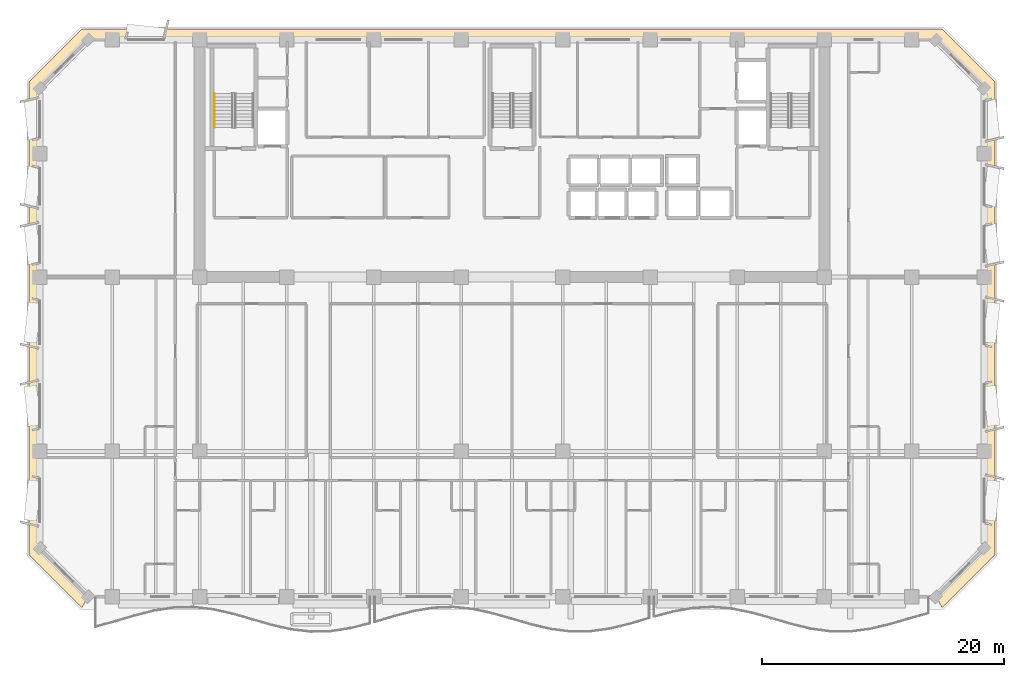
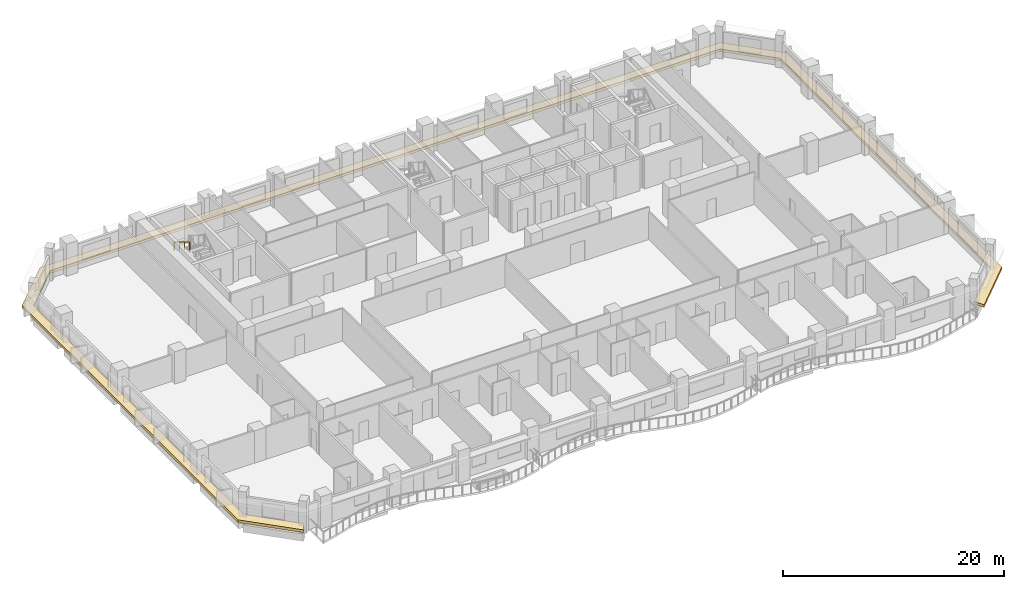
# One storey, part 12 of 15: 1 covering, 1 railing.
"""IFC4 building model written with IfcOpenShell, lengths in metres."""

from ifc_helpers import new_model, si_unit, direction, frame, origin, origin_2d, place, context, subcontext, project, spatial, polyline, rectangle, outline, extrude, material, layer, layer_set, type_object, element, save


model = new_model("IFC4")

# Units and contexts
model_context = context("Model", 3, precision=1e-05, world=origin(), true_north=direction((0.0, 1.0)))
body_context = subcontext(model_context, "Body", "Model", "MODEL_VIEW")
ifc_project = project(units=[si_unit("LENGTHUNIT", "METRE"), si_unit("AREAUNIT", "SQUARE_METRE"), si_unit("VOLUMEUNIT", "CUBIC_METRE"), si_unit("PLANEANGLEUNIT", "RADIAN"), si_unit("MASSUNIT", "GRAM", prefix="KILO")], contexts=[model_context])

# Site, building, storey
site_placement = place(None, origin())
site = spatial("IfcSite", under=ifc_project, at=site_placement, CompositionType="ELEMENT")
building_placement = place(site_placement, origin())
building = spatial("IfcBuilding", under=site, at=building_placement, Name="Kaelvorn Grand Hotel", CompositionType="ELEMENT")
storey_placement = place(building_placement, frame((0.0, 0.0, 158.14990234375)))
storey = spatial("IfcBuildingStorey", under=building, at=storey_placement, Name="L38", CompositionType="ELEMENT", Elevation=158.14990234375)

# Covering
ifc_material_1 = material(Name="Precast concrete C45/55", Category="concrete")
ifc_layer = layer(ifc_material_1, 0.219970703125)
ifc_layer_set = layer_set([ifc_layer], Name="Precast concrete C45/55")
covering_type = type_object("IfcCoveringType", Name="COV-BAND-STREAMLINE-SILL", PredefinedType="CLADDING", material=ifc_layer_set)
covering_placement = place(storey_placement, frame((0.0, 0.0, 0.4501953125)))
element("IfcCovering", 1, at=covering_placement, inside=storey, type_object=covering_type, Name="L38 Streamline Moderne Wraparound Horizontal Sill Spandrel Band", PredefinedType="CLADDING", context=body_context, shape_type="SweptSolid", body=[
    extrude(outline(polyline([(77.515380859375, 2.1201171875), (81.8798828125, 6.484619140625), (81.8798828125, 45.515380859375), (77.515380859375, 49.8798828125), (6.484619140625, 49.8798828125), (2.1201171875, 45.515380859375), (2.1201171875, 6.484619140625), (6.484619140625, 2.1201171875), (7.017578125, 3.030029296875), (3.030029296875, 7.017578125), (3.030029296875, 44.982421875), (7.017578125, 48.969970703125), (76.982421875, 48.969970703125), (80.969970703125, 44.982421875), (80.969970703125, 7.017578125), (76.982421875, 3.030029296875), (77.515380859375, 2.1201171875)])), origin(), (0.0, 0.0, 1.0), 0.2998046875),
])

# Railing
ifc_material_2 = material(Name="Stainless Steel", Category="steel")
railing_type = type_object("IfcRailingType", Name="RL-HANDRAIL-900", PredefinedType="HANDRAIL", material=ifc_material_2)
railing_placement = place(storey_placement, frame((17.449951171875, 44.56005859375, 2.07275390625)))
element("IfcRailing", 2, at=railing_placement, inside=storey, type_object=railing_type, Name="L38 ST1 stair handrail 2", PredefinedType="HANDRAIL", context=body_context, shape_type="SweptSolid", body=[
    extrude(rectangle(XDim=0.048095703125, YDim=0.048095703125, at=origin_2d()), frame((0.0, 0.0, 0.8759765625), z_axis=(0.0, -0.851089632645, 0.525020415988), x_axis=(1.0, 0.0, 0.0)), (0.0, 0.0, 1.0), 3.2900390625),
    extrude(rectangle(XDim=0.0419921875, YDim=0.0419921875, at=origin_2d()), origin(), (0.0, 0.0, 1.0), 0.851806640625),
    extrude(rectangle(XDim=0.0419921875, YDim=0.0419921875, at=origin_2d()), frame((0.0, -0.933349609375, 0.57568359375)), (0.0, 0.0, 1.0), 0.851806640625),
    extrude(rectangle(XDim=0.0419921875, YDim=0.0419921875, at=origin_2d()), frame((0.0, -1.86669921875, 1.151611328125)), (0.0, 0.0, 1.0), 0.851806640625),
    extrude(rectangle(XDim=0.0419921875, YDim=0.0419921875, at=origin_2d()), frame((0.0, -2.800048828125, 1.727294921875)), (0.0, 0.0, 1.0), 0.851806640625),
])

save(model, "model.ifc")
